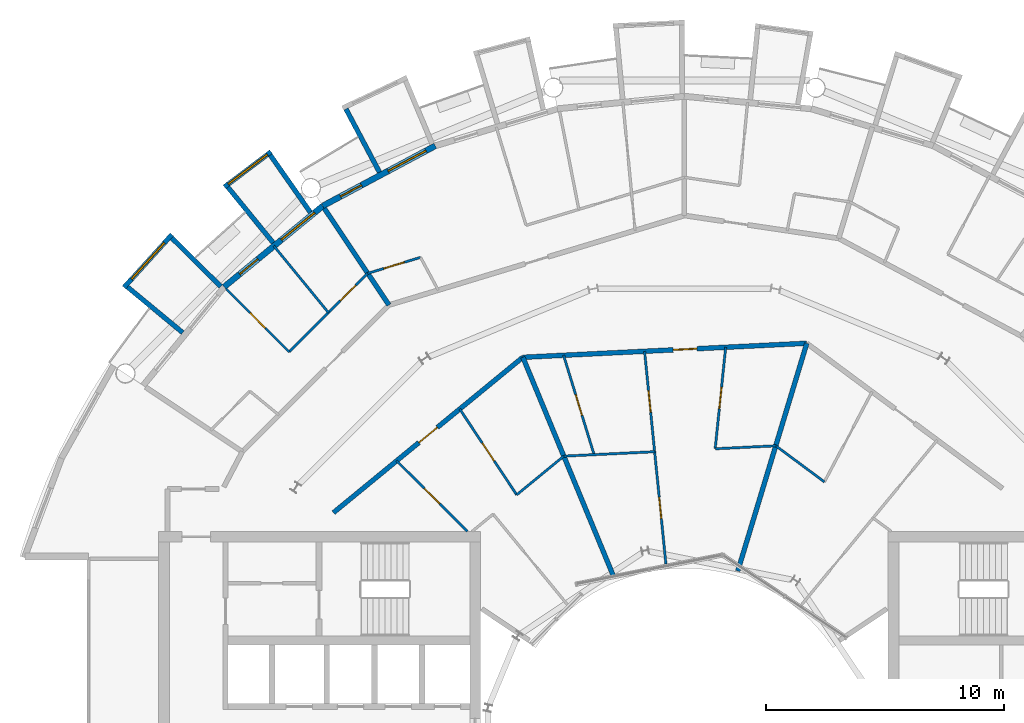
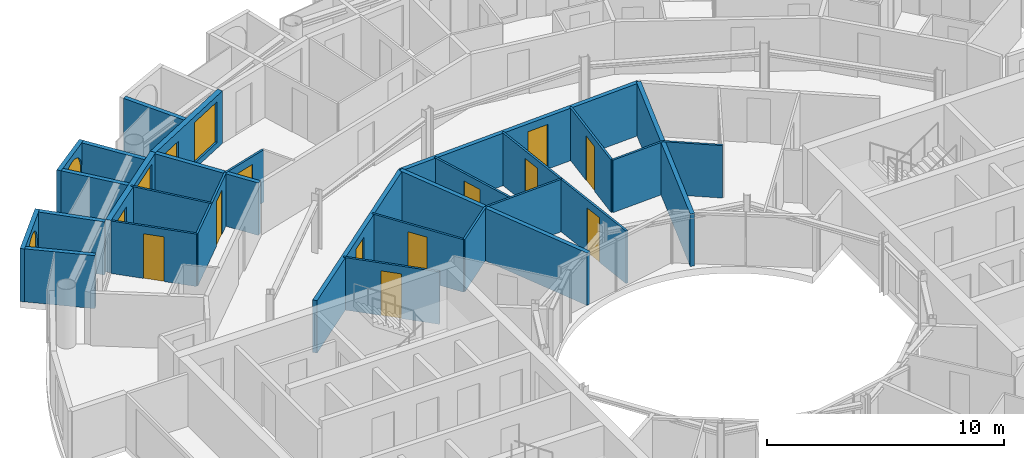
# One storey, part 21 of 29: 27 walls, 13 doors, 4 windows, 17 openings.
"""IFC4 building model written with IfcOpenShell, lengths in metres."""

from ifc_helpers import new_model, si_unit, direction, frame, frame_2d, origin, place, context, subcontext, project, spatial, rectangle, circle, extrude, material, layer, layer_set, type_object, element, fill, save


model = new_model("IFC4")

# Units and contexts
model_context = context("Model", 3, precision=1e-05, world=origin(), true_north=direction((0.0, 1.0)))
body_context = subcontext(model_context, "Body", "Model", "MODEL_VIEW")
ifc_project = project(units=[si_unit("LENGTHUNIT", "METRE"), si_unit("AREAUNIT", "SQUARE_METRE"), si_unit("VOLUMEUNIT", "CUBIC_METRE"), si_unit("PLANEANGLEUNIT", "RADIAN"), si_unit("MASSUNIT", "GRAM", prefix="KILO")], contexts=[model_context])

# Site, building, storey
site_placement = place(None, origin())
site = spatial("IfcSite", under=ifc_project, at=site_placement, CompositionType="ELEMENT")
building_placement = place(site_placement, origin())
building = spatial("IfcBuilding", under=site, at=building_placement, Name="Maasbend Ring Residences", CompositionType="ELEMENT")
storey_placement = place(building_placement, frame((0.0, 0.0, 202.39990234375)))
storey = spatial("IfcBuildingStorey", under=building, at=storey_placement, Name="L58", CompositionType="ELEMENT", Elevation=202.39990234375)

# Wall, opening, door
ifc_material_1 = material(Name="Concrete C30/37", Category="concrete")
ifc_layer_1 = layer(ifc_material_1, 0.199951171875)
ifc_layer_set_1 = layer_set([ifc_layer_1], Name="Concrete C30/37")
wall_type_1 = type_object("IfcWallType", Name="CORRIDOR WALL 200 CONCRETE", PredefinedType="PARTITIONING", material=ifc_layer_set_1)
wall_1_placement = place(storey_placement, frame((-6.782958984375, 16.35009765625, 0.0), z_axis=(0.0, 0.0, 1.0), x_axis=(0.998781156301, 0.049357895202, 0.0)))
wall_1 = element("IfcWall", 1, at=wall_1_placement, inside=storey, type_object=wall_type_1, Name="U-L58-w101", PredefinedType="PARTITIONING", context=body_context, shape_type="SweptSolid", body=[
    extrude(rectangle(XDim=11.9306640625, YDim=0.199951171875, at=frame_2d((5.96533203125, 0.0))), origin(), (0.0, 0.0, 1.0), 2.7001953125),
])
opening_1_placement = place(wall_1_placement, frame((6.322021484375, 0.0, 0.0)))
opening_1 = element("IfcOpeningElement", 2, at=opening_1_placement, cuts=wall_1, Name="Opening D-5825", PredefinedType="OPENING", context=body_context, shape_type="SweptSolid", body=[
    extrude(rectangle(XDim=1.0, YDim=2.300048828125, at=frame_2d((0.5, 1.14990234375))), frame((0.0, 0.10986328125, 0.0), z_axis=(0.0, -1.0, 0.0), x_axis=(1.0, 0.0, 0.0)), (0.0, 0.0, 1.0), 0.219970703125),
])
ifc_material_2 = material(Name="Timber, fire-rated, painted", Category="wood")
door_type_1 = type_object("IfcDoorType", Name="FLAT ENTRANCE DOOR 1000 X 2300 FIRE-RATED", OperationType="NOTDEFINED", PredefinedType="DOOR", material=ifc_material_2)
door_1_placement = place(opening_1_placement, origin())
door_1 = element("IfcDoor", 3, at=door_1_placement, inside=storey, type_object=door_type_1, Name="D-5825", OperationType="SINGLE_SWING_RIGHT", OverallHeight=2.300048828125, OverallWidth=1.0, PredefinedType="DOOR", context=body_context, shape_type="SweptSolid", body=[
    extrude(rectangle(XDim=1.0, YDim=2.300048828125, at=frame_2d((0.5, 1.14990234375))), frame((0.0, 0.02490234375, 0.0), z_axis=(0.0, -1.0, 0.0), x_axis=(1.0, 0.0, 0.0)), (0.0, 0.0, 1.0), 0.050048828125),
])
fill(opening_1, door_1)

wall_2_placement = place(storey_placement, frame((-14.717041015625, 9.833984375, 0.0), z_axis=(0.0, 0.0, 1.0), x_axis=(0.773034536097, 0.634363938131, 0.0)))
wall_2 = element("IfcWall", 4, at=wall_2_placement, inside=storey, type_object=wall_type_1, Name="U-L58-w103", PredefinedType="PARTITIONING", context=body_context, shape_type="SweptSolid", body=[
    extrude(rectangle(XDim=10.276611328125, YDim=0.199951171875, at=frame_2d((5.13818359375, 0.0))), origin(), (0.0, 0.0, 1.0), 2.7001953125),
])
opening_2_placement = place(wall_2_placement, frame((4.637939453125, 0.0, 0.0)))
opening_2 = element("IfcOpeningElement", 5, at=opening_2_placement, cuts=wall_2, Name="Opening D-5830", PredefinedType="OPENING", context=body_context, shape_type="SweptSolid", body=[
    extrude(rectangle(XDim=1.0, YDim=2.300048828125, at=frame_2d((0.5, 1.14990234375))), frame((0.0, 0.10986328125, 0.0), z_axis=(0.0, -1.0, 0.0), x_axis=(1.0, 0.0, 0.0)), (0.0, 0.0, 1.0), 0.219970703125),
])
door_2_placement = place(opening_2_placement, origin())
door_2 = element("IfcDoor", 6, at=door_2_placement, inside=storey, type_object=door_type_1, Name="D-5830", OperationType="SINGLE_SWING_LEFT", OverallHeight=2.300048828125, OverallWidth=1.0, PredefinedType="DOOR", context=body_context, shape_type="SweptSolid", body=[
    extrude(rectangle(XDim=1.0, YDim=2.300048828125, at=frame_2d((0.5, 1.14990234375))), frame((0.0, 0.02490234375, 0.0), z_axis=(0.0, -1.0, 0.0), x_axis=(1.0, 0.0, 0.0)), (0.0, 0.0, 1.0), 0.050048828125),
])
fill(opening_2, door_2)

# Wall
ifc_material_3 = material(Name="Pale anodised aluminium panel", Category="aluminium")
ifc_layer_2 = layer(ifc_material_3, 0.199951171875)
ifc_layer_set_2 = layer_set([ifc_layer_2], Name="EW-BOX")
wall_type_2 = type_object("IfcWallType", Name="EW-BOX", PredefinedType="SOLIDWALL", material=ifc_layer_set_2)
wall_3_placement = place(storey_placement, frame((-12.787109375, 24.113037109375, -0.02978515625), z_axis=(0.0, 0.0, 1.0), x_axis=(-0.468365282436, 0.883534924159, 0.0)))
element("IfcWall", 7, at=wall_3_placement, inside=storey, type_object=wall_type_2, Name="Box side wall N15 right", PredefinedType="SOLIDWALL", context=body_context, shape_type="SweptSolid", body=[
    extrude(rectangle(XDim=3.006103515625, YDim=0.199951171875, at=frame_2d((1.5029296875, 0.0))), origin(), (0.0, 0.0, 1.0), 2.72998046875),
])

# Wall, opening, window
wall_4_placement = place(storey_placement, frame((-17.3369140625, 24.971923828125, -0.02978515625), z_axis=(0.0, 0.0, 1.0), x_axis=(-0.797887588059, -0.602806268067, 0.0)))
wall_4 = element("IfcWall", 8, at=wall_4_placement, inside=storey, type_object=wall_type_2, Name="Box front N17", PredefinedType="SOLIDWALL", context=body_context, shape_type="SweptSolid", body=[
    extrude(rectangle(XDim=2.446533203125, YDim=0.199951171875, at=frame_2d((1.22314453125, 0.0))), origin(), (0.0, 0.0, 1.0), 2.72998046875),
])
opening_3_placement = place(wall_4_placement, frame((0.182861328125, 0.0, 0.330078125)))
opening_3 = element("IfcOpeningElement", 9, at=opening_3_placement, cuts=wall_4, Name="Opening W-RD", PredefinedType="OPENING", context=body_context, shape_type="SweptSolid", body=[
    extrude(circle(Radius=1.0400390625, at=frame_2d((1.0400390625, 1.0400390625))), frame((0.0, 0.10986328125, 0.0), z_axis=(0.0, -1.0, 0.0), x_axis=(1.0, 0.0, 0.0)), (0.0, 0.0, 1.0), 0.219970703125),
])
ifc_material_4 = material(Name="Aluminium and clear glass", Category="aluminium")
window_type_1 = type_object("IfcWindowType", Name="W-RD", PartitioningType="SINGLE_PANEL", PredefinedType="WINDOW", material=ifc_material_4)
window_1_placement = place(opening_3_placement, origin())
window_1 = element("IfcWindow", 10, at=window_1_placement, inside=storey, type_object=window_type_1, Name="Round window N17", OverallHeight=2.080078125, OverallWidth=2.080078125, PartitioningType="SINGLE_PANEL", PredefinedType="WINDOW", context=body_context, shape_type="SweptSolid", body=[
    extrude(circle(Radius=1.0400390625, at=frame_2d((1.0400390625, 1.0400390625))), frame((0.0, 0.030029296875, 0.0), z_axis=(0.0, -1.0, 0.0), x_axis=(1.0, 0.0, 0.0)), (0.0, 0.0, 1.0), 0.06005859375),
])
fill(opening_3, window_1)

# Walls
wall_5_placement = place(storey_placement, frame((-15.68798828125, 22.43310546875, -0.02978515625), z_axis=(0.0, 0.0, 1.0), x_axis=(-0.573260687834, 0.819373043115, 0.0)))
element("IfcWall", 11, at=wall_5_placement, inside=storey, type_object=wall_type_2, Name="Box side wall N17 left", PredefinedType="SOLIDWALL", context=body_context, shape_type="SweptSolid", body=[
    extrude(rectangle(XDim=2.92529296875, YDim=0.199951171875, at=frame_2d((1.462646484375, 0.0))), origin(), (0.0, 0.0, 1.0), 2.72998046875),
])
wall_6_placement = place(storey_placement, frame((-17.24609375, 21.155029296875, -0.02978515625), z_axis=(0.0, 0.0, 1.0), x_axis=(-0.631741648902, 0.775179004516, 0.0)))
element("IfcWall", 12, at=wall_6_placement, inside=storey, type_object=wall_type_2, Name="Box side wall N17 right", PredefinedType="SOLIDWALL", context=body_context, shape_type="SweptSolid", body=[
    extrude(rectangle(XDim=3.005859375, YDim=0.199951171875, at=frame_2d((1.5029296875, 0.0))), origin(), (0.0, 0.0, 1.0), 2.72998046875),
])

# Wall, opening, window
wall_7_placement = place(storey_placement, frame((-21.492919921875, 21.5, -0.02978515625), z_axis=(0.0, 0.0, 1.0), x_axis=(-0.671506829416, -0.740998365753, 0.0)))
wall_7 = element("IfcWall", 13, at=wall_7_placement, inside=storey, type_object=wall_type_2, Name="Box front N19", PredefinedType="SOLIDWALL", context=body_context, shape_type="SweptSolid", body=[
    extrude(rectangle(XDim=2.9931640625, YDim=0.199951171875, at=frame_2d((1.49658203125, 0.0))), origin(), (0.0, 0.0, 1.0), 2.72998046875),
])
opening_4_placement = place(wall_7_placement, frame((0.45654296875, 0.0, 0.330078125)))
opening_4 = element("IfcOpeningElement", 14, at=opening_4_placement, cuts=wall_7, Name="Opening W-RD", PredefinedType="OPENING", context=body_context, shape_type="SweptSolid", body=[
    extrude(circle(Radius=1.0400390625, at=frame_2d((1.0400390625, 1.0400390625))), frame((0.0, 0.10986328125, 0.0), z_axis=(0.0, -1.0, 0.0), x_axis=(1.0, 0.0, 0.0)), (0.0, 0.0, 1.0), 0.219970703125),
])
window_2_placement = place(opening_4_placement, origin())
window_2 = element("IfcWindow", 15, at=window_2_placement, inside=storey, type_object=window_type_1, Name="Round window N19", OverallHeight=2.080078125, OverallWidth=2.080078125, PartitioningType="SINGLE_PANEL", PredefinedType="WINDOW", context=body_context, shape_type="SweptSolid", body=[
    extrude(circle(Radius=1.0400390625, at=frame_2d((1.0400390625, 1.0400390625))), frame((0.0, 0.030029296875, 0.0), z_axis=(0.0, -1.0, 0.0), x_axis=(1.0, 0.0, 0.0)), (0.0, 0.0, 1.0), 0.06005859375),
])
fill(opening_4, window_2)

# Walls
wall_8_placement = place(storey_placement, frame((-19.449951171875, 19.322998046875, -0.02978515625), z_axis=(0.0, 0.0, 1.0), x_axis=(-0.709727076896, 0.704476739375, 0.0)))
element("IfcWall", 16, at=wall_8_placement, inside=storey, type_object=wall_type_2, Name="Box side wall N19 left", PredefinedType="SOLIDWALL", context=body_context, shape_type="SweptSolid", body=[
    extrude(rectangle(XDim=2.883056640625, YDim=0.199951171875, at=frame_2d((1.44140625, 0.0))), origin(), (0.0, 0.0, 1.0), 2.72998046875),
])
wall_9_placement = place(storey_placement, frame((-21.041015625, 17.384033203125, -0.02978515625), z_axis=(0.0, 0.0, 1.0), x_axis=(-0.770784861449, 0.63709551667, 0.0)))
element("IfcWall", 17, at=wall_9_placement, inside=storey, type_object=wall_type_2, Name="Box side wall N19 right", PredefinedType="SOLIDWALL", context=body_context, shape_type="SweptSolid", body=[
    extrude(rectangle(XDim=3.005859375, YDim=0.199951171875, at=frame_2d((1.5029296875, 0.0))), origin(), (0.0, 0.0, 1.0), 2.72998046875),
])

# Wall, openings, door, window
ifc_material_5 = material(Name="Aluminium clad insulated panel", Category="aluminium")
ifc_layer_3 = layer(ifc_material_5, 0.25)
ifc_layer_set_3 = layer_set([ifc_layer_3], Name="EW-GL")
wall_type_3 = type_object("IfcWallType", Name="EW-GL", PredefinedType="SOLIDWALL", material=ifc_layer_set_3)
wall_10_placement = place(storey_placement, frame((-10.447021484375, 25.221923828125, 0.0), z_axis=(0.0, 0.0, 1.0), x_axis=(-0.881915646801, -0.471407246368, 0.0)))
wall_10 = element("IfcWall", 18, at=wall_10_placement, inside=storey, type_object=wall_type_3, Name="External wall N08", PredefinedType="SOLIDWALL", context=body_context, shape_type="SweptSolid", body=[
    extrude(rectangle(XDim=5.35205078125, YDim=0.25, at=frame_2d((2.676025390625, 0.0))), origin(), (0.0, 0.0, 1.0), 2.7001953125),
])
opening_5_placement = place(wall_10_placement, frame((0.441162109375, 0.0, 0.300048828125)))
opening_5 = element("IfcOpeningElement", 19, at=opening_5_placement, cuts=wall_10, Name="Opening W-BX", PredefinedType="OPENING", context=body_context, shape_type="SweptSolid", body=[
    extrude(rectangle(XDim=1.800048828125, YDim=2.10009765625, at=frame_2d((0.89990234375, 1.050048828125))), frame((0.0, 0.135009765625, 0.0), z_axis=(0.0, -1.0, 0.0), x_axis=(1.0, 0.0, 0.0)), (0.0, 0.0, 1.0), 0.27001953125),
])
opening_6_placement = place(wall_10_placement, frame((3.510498046875, 0.0, 0.0)))
opening_6 = element("IfcOpeningElement", 20, at=opening_6_placement, cuts=wall_10, Name="Opening D-LG", PredefinedType="OPENING", context=body_context, shape_type="SweptSolid", body=[
    extrude(rectangle(XDim=1.0, YDim=2.199951171875, at=frame_2d((0.5, 1.10009765625))), frame((0.0, 0.135009765625, 0.0), z_axis=(0.0, -1.0, 0.0), x_axis=(1.0, 0.0, 0.0)), (0.0, 0.0, 1.0), 0.27001953125),
])
ifc_material_6 = material(Name="Aluminium and clear glass", Category="aluminium")
door_type_2 = type_object("IfcDoorType", Name="D-LG", OperationType="SINGLE_SWING_LEFT", PredefinedType="DOOR", material=ifc_material_6)
door_3_placement = place(opening_6_placement, origin())
door_3 = element("IfcDoor", 21, at=door_3_placement, inside=storey, type_object=door_type_2, Name="Loggia door N16", OperationType="SINGLE_SWING_LEFT", OverallHeight=2.199951171875, OverallWidth=1.0, PredefinedType="DOOR", context=body_context, shape_type="SweptSolid", body=[
    extrude(rectangle(XDim=1.0, YDim=2.199951171875, at=frame_2d((0.5, 1.10009765625))), frame((0.0, 0.02490234375, 0.0), z_axis=(0.0, -1.0, 0.0), x_axis=(1.0, 0.0, 0.0)), (0.0, 0.0, 1.0), 0.050048828125),
])
fill(opening_6, door_3)
ifc_material_7 = material(Name="Aluminium and clear glass", Category="aluminium")
window_type_2 = type_object("IfcWindowType", Name="W-BX", PartitioningType="DOUBLE_PANEL_VERTICAL", PredefinedType="WINDOW", material=ifc_material_7)
window_3_placement = place(opening_5_placement, origin())
window_3 = element("IfcWindow", 22, at=window_3_placement, inside=storey, type_object=window_type_2, Name="Window N15 room to box", OverallHeight=2.10009765625, OverallWidth=1.800048828125, PartitioningType="SINGLE_PANEL", PredefinedType="WINDOW", context=body_context, shape_type="SweptSolid", body=[
    extrude(rectangle(XDim=1.800048828125, YDim=2.10009765625, at=frame_2d((0.89990234375, 1.050048828125))), frame((0.0, 0.030029296875, 0.0), z_axis=(0.0, -1.0, 0.0), x_axis=(1.0, 0.0, 0.0)), (0.0, 0.0, 1.0), 0.06005859375),
])
fill(opening_5, window_3)

wall_11_placement = place(storey_placement, frame((-15.1669921875, 22.698974609375, 0.0), z_axis=(0.0, 0.0, 1.0), x_axis=(-0.773019449054, -0.634382322723, 0.0)))
wall_11 = element("IfcWall", 23, at=wall_11_placement, inside=storey, type_object=wall_type_3, Name="External wall N09", PredefinedType="SOLIDWALL", context=body_context, shape_type="SweptSolid", body=[
    extrude(rectangle(XDim=5.351806640625, YDim=0.25, at=frame_2d((2.67578125, 0.0))), origin(), (0.0, 0.0, 1.0), 2.7001953125),
])
opening_7_placement = place(wall_11_placement, frame((0.441162109375, 0.0, 0.300048828125)))
opening_7 = element("IfcOpeningElement", 24, at=opening_7_placement, cuts=wall_11, Name="Opening W-BX", PredefinedType="OPENING", context=body_context, shape_type="SweptSolid", body=[
    extrude(rectangle(XDim=1.800048828125, YDim=2.10009765625, at=frame_2d((0.89990234375, 1.050048828125))), frame((0.0, 0.135009765625, 0.0), z_axis=(0.0, -1.0, 0.0), x_axis=(1.0, 0.0, 0.0)), (0.0, 0.0, 1.0), 0.27001953125),
])
opening_8_placement = place(wall_11_placement, frame((3.510498046875, 0.0, 0.0)))
opening_8 = element("IfcOpeningElement", 25, at=opening_8_placement, cuts=wall_11, Name="Opening D-LG", PredefinedType="OPENING", context=body_context, shape_type="SweptSolid", body=[
    extrude(rectangle(XDim=1.0, YDim=2.199951171875, at=frame_2d((0.5, 1.10009765625))), frame((0.0, 0.135009765625, 0.0), z_axis=(0.0, -1.0, 0.0), x_axis=(1.0, 0.0, 0.0)), (0.0, 0.0, 1.0), 0.27001953125),
])
door_4_placement = place(opening_8_placement, origin())
door_4 = element("IfcDoor", 26, at=door_4_placement, inside=storey, type_object=door_type_2, Name="Loggia door N18", OperationType="SINGLE_SWING_LEFT", OverallHeight=2.199951171875, OverallWidth=1.0, PredefinedType="DOOR", context=body_context, shape_type="SweptSolid", body=[
    extrude(rectangle(XDim=1.0, YDim=2.199951171875, at=frame_2d((0.5, 1.10009765625))), frame((0.0, 0.02490234375, 0.0), z_axis=(0.0, -1.0, 0.0), x_axis=(1.0, 0.0, 0.0)), (0.0, 0.0, 1.0), 0.050048828125),
])
fill(opening_8, door_4)
window_4_placement = place(opening_7_placement, origin())
window_4 = element("IfcWindow", 27, at=window_4_placement, inside=storey, type_object=window_type_2, Name="Window N17 room to box", OverallHeight=2.10009765625, OverallWidth=1.800048828125, PartitioningType="SINGLE_PANEL", PredefinedType="WINDOW", context=body_context, shape_type="SweptSolid", body=[
    extrude(rectangle(XDim=1.800048828125, YDim=2.10009765625, at=frame_2d((0.89990234375, 1.050048828125))), frame((0.0, 0.030029296875, 0.0), z_axis=(0.0, -1.0, 0.0), x_axis=(1.0, 0.0, 0.0)), (0.0, 0.0, 1.0), 0.06005859375),
])
fill(opening_7, window_4)

# Wall, opening, door
ifc_material_8 = material(Name="Gypsum board on steel studs", Category="steel")
ifc_layer_4 = layer(ifc_material_8, 0.10009765625)
ifc_layer_set_4 = layer_set([ifc_layer_4], Name="PARTITION 100 GYPSUM")
wall_type_4 = type_object("IfcWallType", Name="PARTITION 100 GYPSUM", PredefinedType="PARTITIONING", material=ifc_layer_set_4)
wall_12_placement = place(storey_placement, frame((-5.06591796875, 16.43798828125, 0.0), z_axis=(0.0, 0.0, 1.0), x_axis=(0.293735983257, -0.955886589581, 0.0)))
wall_12 = element("IfcWall", 28, at=wall_12_placement, inside=storey, type_object=wall_type_4, Name="U-L58-w032", PredefinedType="PARTITIONING", context=body_context, shape_type="SweptSolid", body=[
    extrude(rectangle(XDim=4.364501953125, YDim=0.10009765625, at=frame_2d((2.18212890625, 0.0))), origin(), (0.0, 0.0, 1.0), 2.7001953125),
])
opening_9_placement = place(wall_12_placement, frame((1.73193359375, 0.0, 0.0)))
opening_9 = element("IfcOpeningElement", 29, at=opening_9_placement, cuts=wall_12, Name="Opening D-5828", PredefinedType="OPENING", context=body_context, shape_type="SweptSolid", body=[
    extrude(rectangle(XDim=0.89990234375, YDim=2.300048828125, at=frame_2d((0.449951171875, 1.14990234375))), frame((0.0, 0.06005859375, 0.0), z_axis=(0.0, -1.0, 0.0), x_axis=(1.0, 0.0, 0.0)), (0.0, 0.0, 1.0), 0.1201171875),
])
ifc_material_9 = material(Name="Timber, painted", Category="wood")
door_type_3 = type_object("IfcDoorType", Name="INTERNAL DOOR 900 X 2300", OperationType="NOTDEFINED", PredefinedType="DOOR", material=ifc_material_9)
door_5_placement = place(opening_9_placement, origin())
door_5 = element("IfcDoor", 30, at=door_5_placement, inside=storey, type_object=door_type_3, Name="D-5828", OperationType="SINGLE_SWING_LEFT", OverallHeight=2.300048828125, OverallWidth=0.89990234375, PredefinedType="DOOR", context=body_context, shape_type="SweptSolid", body=[
    extrude(rectangle(XDim=0.89990234375, YDim=2.300048828125, at=frame_2d((0.449951171875, 1.14990234375))), frame((0.0, 0.02490234375, 0.0), z_axis=(0.0, -1.0, 0.0), x_axis=(1.0, 0.0, 0.0)), (0.0, 0.0, 1.0), 0.050048828125),
])
fill(opening_9, door_5)

wall_13_placement = place(storey_placement, frame((-19.216064453125, 19.216064453125, 0.0), z_axis=(0.0, 0.0, 1.0), x_axis=(0.707106781187, -0.707106781187, 0.0)))
wall_13 = element("IfcWall", 31, at=wall_13_placement, inside=storey, type_object=wall_type_4, Name="U-L58-w039", PredefinedType="PARTITIONING", context=body_context, shape_type="SweptSolid", body=[
    extrude(rectangle(XDim=3.735107421875, YDim=0.10009765625, at=frame_2d((1.86767578125, 0.0))), origin(), (0.0, 0.0, 1.0), 2.7001953125),
])
opening_10_placement = place(wall_13_placement, frame((1.4169921875, 0.0, 0.0)))
opening_10 = element("IfcOpeningElement", 32, at=opening_10_placement, cuts=wall_13, Name="Opening D-5819", PredefinedType="OPENING", context=body_context, shape_type="SweptSolid", body=[
    extrude(rectangle(XDim=0.89990234375, YDim=2.300048828125, at=frame_2d((0.449951171875, 1.14990234375))), frame((0.0, 0.06005859375, 0.0), z_axis=(0.0, -1.0, 0.0), x_axis=(1.0, 0.0, 0.0)), (0.0, 0.0, 1.0), 0.1201171875),
])
door_6_placement = place(opening_10_placement, origin())
door_6 = element("IfcDoor", 33, at=door_6_placement, inside=storey, type_object=door_type_3, Name="D-5819", OperationType="SINGLE_SWING_LEFT", OverallHeight=2.300048828125, OverallWidth=0.89990234375, PredefinedType="DOOR", context=body_context, shape_type="SweptSolid", body=[
    extrude(rectangle(XDim=0.89990234375, YDim=2.300048828125, at=frame_2d((0.449951171875, 1.14990234375))), frame((0.0, 0.02490234375, 0.0), z_axis=(0.0, -1.0, 0.0), x_axis=(1.0, 0.0, 0.0)), (0.0, 0.0, 1.0), 0.050048828125),
])
fill(opening_10, door_6)

# Wall
wall_14_placement = place(storey_placement, frame((-17.219970703125, 21.02294921875, 0.0), z_axis=(0.0, 0.0, 1.0), x_axis=(0.633737383709, -0.773548271597, 0.0)))
element("IfcWall", 34, at=wall_14_placement, inside=storey, type_object=wall_type_4, Name="U-L58-w040", PredefinedType="PARTITIONING", context=body_context, shape_type="SweptSolid", body=[
    extrude(rectangle(XDim=3.6181640625, YDim=0.10009765625, at=frame_2d((1.80908203125, 0.0))), origin(), (0.0, 0.0, 1.0), 2.7001953125),
])

# Wall, opening, door
wall_15_placement = place(storey_placement, frame((-12.069091796875, 12.007080078125, 0.0), z_axis=(0.0, 0.0, 1.0), x_axis=(0.708909651863, -0.705299302067, 0.0)))
wall_15 = element("IfcWall", 35, at=wall_15_placement, inside=storey, type_object=wall_type_4, Name="U-L58-w046", PredefinedType="PARTITIONING", context=body_context, shape_type="SweptSolid", body=[
    extrude(rectangle(XDim=4.192626953125, YDim=0.10009765625, at=frame_2d((2.09619140625, 0.0))), origin(), (0.0, 0.0, 1.0), 2.7001953125),
])
opening_11_placement = place(wall_15_placement, frame((1.64599609375, 0.0, 0.0)))
opening_11 = element("IfcOpeningElement", 36, at=opening_11_placement, cuts=wall_15, Name="Opening D-5832", PredefinedType="OPENING", context=body_context, shape_type="SweptSolid", body=[
    extrude(rectangle(XDim=0.89990234375, YDim=2.300048828125, at=frame_2d((0.449951171875, 1.14990234375))), frame((0.0, 0.06005859375, 0.0), z_axis=(0.0, -1.0, 0.0), x_axis=(1.0, 0.0, 0.0)), (0.0, 0.0, 1.0), 0.1201171875),
])
door_7_placement = place(opening_11_placement, origin())
door_7 = element("IfcDoor", 37, at=door_7_placement, inside=storey, type_object=door_type_3, Name="D-5832", OperationType="SINGLE_SWING_RIGHT", OverallHeight=2.300048828125, OverallWidth=0.89990234375, PredefinedType="DOOR", context=body_context, shape_type="SweptSolid", body=[
    extrude(rectangle(XDim=0.89990234375, YDim=2.300048828125, at=frame_2d((0.449951171875, 1.14990234375))), frame((0.0, 0.02490234375, 0.0), z_axis=(0.0, -1.0, 0.0), x_axis=(1.0, 0.0, 0.0)), (0.0, 0.0, 1.0), 0.050048828125),
])
fill(opening_11, door_7)

wall_16_placement = place(storey_placement, frame((-9.4208984375, 14.179931640625, 0.0), z_axis=(0.0, 0.0, 1.0), x_axis=(0.553303732327, -0.832979579457, 0.0)))
wall_16 = element("IfcWall", 38, at=wall_16_placement, inside=storey, type_object=wall_type_4, Name="U-L58-w049", PredefinedType="PARTITIONING", context=body_context, shape_type="SweptSolid", body=[
    extrude(rectangle(XDim=4.3193359375, YDim=0.10009765625, at=frame_2d((2.15966796875, 0.0))), origin(), (0.0, 0.0, 1.0), 2.7001953125),
])
opening_12_placement = place(wall_16_placement, frame((1.7099609375, 0.0, 0.0)))
opening_12 = element("IfcOpeningElement", 39, at=opening_12_placement, cuts=wall_16, Name="Opening D-5831", PredefinedType="OPENING", context=body_context, shape_type="SweptSolid", body=[
    extrude(rectangle(XDim=0.89990234375, YDim=2.300048828125, at=frame_2d((0.449951171875, 1.14990234375))), frame((0.0, 0.06005859375, 0.0), z_axis=(0.0, -1.0, 0.0), x_axis=(1.0, 0.0, 0.0)), (0.0, 0.0, 1.0), 0.1201171875),
])
door_8_placement = place(opening_12_placement, origin())
door_8 = element("IfcDoor", 40, at=door_8_placement, inside=storey, type_object=door_type_3, Name="D-5831", OperationType="SINGLE_SWING_RIGHT", OverallHeight=2.300048828125, OverallWidth=0.89990234375, PredefinedType="DOOR", context=body_context, shape_type="SweptSolid", body=[
    extrude(rectangle(XDim=0.89990234375, YDim=2.300048828125, at=frame_2d((0.449951171875, 1.14990234375))), frame((0.0, 0.02490234375, 0.0), z_axis=(0.0, -1.0, 0.0), x_axis=(1.0, 0.0, 0.0)), (0.0, 0.0, 1.0), 0.050048828125),
])
fill(opening_12, door_8)

# Wall, openings, doors
wall_17_placement = place(storey_placement, frame((-1.66796875, 16.60302734375, 0.0), z_axis=(0.0, 0.0, 1.0), x_axis=(0.099921543882, -0.994995319119, 0.0)))
wall_17 = element("IfcWall", 41, at=wall_17_placement, inside=storey, type_object=wall_type_4, Name="U-L58-w060", PredefinedType="PARTITIONING", context=body_context, shape_type="SweptSolid", body=[
    extrude(rectangle(XDim=8.967041015625, YDim=0.10009765625, at=frame_2d((4.4833984375, 0.0))), origin(), (0.0, 0.0, 1.0), 2.7001953125),
])
opening_13_placement = place(wall_17_placement, frame((1.6669921875, 0.0, 0.0)))
opening_13 = element("IfcOpeningElement", 42, at=opening_13_placement, cuts=wall_17, Name="Opening D-5827", PredefinedType="OPENING", context=body_context, shape_type="SweptSolid", body=[
    extrude(rectangle(XDim=0.89990234375, YDim=2.300048828125, at=frame_2d((0.449951171875, 1.14990234375))), frame((0.0, 0.06005859375, 0.0), z_axis=(0.0, -1.0, 0.0), x_axis=(1.0, 0.0, 0.0)), (0.0, 0.0, 1.0), 0.1201171875),
])
opening_14_placement = place(wall_17_placement, frame((6.14990234375, 0.0, 0.0)))
opening_14 = element("IfcOpeningElement", 43, at=opening_14_placement, cuts=wall_17, Name="Opening D-5829", PredefinedType="OPENING", context=body_context, shape_type="SweptSolid", body=[
    extrude(rectangle(XDim=0.89990234375, YDim=2.300048828125, at=frame_2d((0.449951171875, 1.14990234375))), frame((0.0, 0.06005859375, 0.0), z_axis=(0.0, -1.0, 0.0), x_axis=(1.0, 0.0, 0.0)), (0.0, 0.0, 1.0), 0.1201171875),
])
door_9_placement = place(opening_13_placement, origin())
door_9 = element("IfcDoor", 44, at=door_9_placement, inside=storey, type_object=door_type_3, Name="D-5827", OperationType="SINGLE_SWING_LEFT", OverallHeight=2.300048828125, OverallWidth=0.89990234375, PredefinedType="DOOR", context=body_context, shape_type="SweptSolid", body=[
    extrude(rectangle(XDim=0.89990234375, YDim=2.300048828125, at=frame_2d((0.449951171875, 1.14990234375))), frame((0.0, 0.02490234375, 0.0), z_axis=(0.0, -1.0, 0.0), x_axis=(1.0, 0.0, 0.0)), (0.0, 0.0, 1.0), 0.050048828125),
])
fill(opening_13, door_9)
door_10_placement = place(opening_14_placement, origin())
door_10 = element("IfcDoor", 45, at=door_10_placement, inside=storey, type_object=door_type_3, Name="D-5829", OperationType="SINGLE_SWING_RIGHT", OverallHeight=2.300048828125, OverallWidth=0.89990234375, PredefinedType="DOOR", context=body_context, shape_type="SweptSolid", body=[
    extrude(rectangle(XDim=0.89990234375, YDim=2.300048828125, at=frame_2d((0.449951171875, 1.14990234375))), frame((0.0, 0.02490234375, 0.0), z_axis=(0.0, -1.0, 0.0), x_axis=(1.0, 0.0, 0.0)), (0.0, 0.0, 1.0), 0.050048828125),
])
fill(opening_14, door_10)

# Wall, opening, door
wall_18_placement = place(storey_placement, frame((1.294921875, 12.514892578125, 0.0), z_axis=(0.0, 0.0, 1.0), x_axis=(0.102875790791, 0.994694210131, 0.0)))
wall_18 = element("IfcWall", 46, at=wall_18_placement, inside=storey, type_object=wall_type_4, Name="U-L58-w065", PredefinedType="PARTITIONING", context=body_context, shape_type="SweptSolid", body=[
    extrude(rectangle(XDim=4.27880859375, YDim=0.10009765625, at=frame_2d((2.139404296875, 0.0))), origin(), (0.0, 0.0, 1.0), 2.7001953125),
])
opening_15_placement = place(wall_18_placement, frame((1.68896484375, 0.0, 0.0)))
opening_15 = element("IfcOpeningElement", 47, at=opening_15_placement, cuts=wall_18, Name="Opening D-5826", PredefinedType="OPENING", context=body_context, shape_type="SweptSolid", body=[
    extrude(rectangle(XDim=0.89990234375, YDim=2.300048828125, at=frame_2d((0.449951171875, 1.14990234375))), frame((0.0, 0.06005859375, 0.0), z_axis=(0.0, -1.0, 0.0), x_axis=(1.0, 0.0, 0.0)), (0.0, 0.0, 1.0), 0.1201171875),
])
door_11_placement = place(opening_15_placement, origin())
door_11 = element("IfcDoor", 48, at=door_11_placement, inside=storey, type_object=door_type_3, Name="D-5826", OperationType="SINGLE_SWING_RIGHT", OverallHeight=2.300048828125, OverallWidth=0.89990234375, PredefinedType="DOOR", context=body_context, shape_type="SweptSolid", body=[
    extrude(rectangle(XDim=0.89990234375, YDim=2.300048828125, at=frame_2d((0.449951171875, 1.14990234375))), frame((0.0, 0.02490234375, 0.0), z_axis=(0.0, -1.0, 0.0), x_axis=(1.0, 0.0, 0.0)), (0.0, 0.0, 1.0), 0.050048828125),
])
fill(opening_15, door_11)

# Walls
wall_19_placement = place(storey_placement, frame((-5.054931640625, 12.2041015625, 0.0), z_axis=(0.0, 0.0, 1.0), x_axis=(0.998816217325, 0.048643231882, 0.0)))
element("IfcWall", 49, at=wall_19_placement, inside=storey, type_object=wall_type_4, Name="U-L58-w095", PredefinedType="PARTITIONING", context=body_context, shape_type="SweptSolid", body=[
    extrude(rectangle(XDim=3.819580078125, YDim=0.10009765625, at=frame_2d((1.90966796875, 0.0))), origin(), (0.0, 0.0, 1.0), 2.7001953125),
])
wall_20_placement = place(storey_placement, frame((1.300048828125, 12.513916015625, 0.0), z_axis=(0.0, 0.0, 1.0), x_axis=(0.99880915717, 0.048787985754, 0.0)))
element("IfcWall", 50, at=wall_20_placement, inside=storey, type_object=wall_type_4, Name="U-L58-w096", PredefinedType="PARTITIONING", context=body_context, shape_type="SweptSolid", body=[
    extrude(rectangle(XDim=2.5419921875, YDim=0.10009765625, at=frame_2d((1.27099609375, 0.0))), origin(), (0.0, 0.0, 1.0), 2.7001953125),
])
wall_21_placement = place(storey_placement, frame((3.833984375, 12.639892578125, 0.0), z_axis=(0.0, 0.0, 1.0), x_axis=(0.803259509791, -0.595629213463, 0.0)))
element("IfcWall", 51, at=wall_21_placement, inside=storey, type_object=wall_type_4, Name="U-L58-w097", PredefinedType="PARTITIONING", context=body_context, shape_type="SweptSolid", body=[
    extrude(rectangle(XDim=2.54345703125, YDim=0.10009765625, at=frame_2d((1.271728515625, 0.0))), origin(), (0.0, 0.0, 1.0), 2.7001953125),
])
wall_22_placement = place(storey_placement, frame((-7.032958984375, 10.5810546875, 0.0), z_axis=(0.0, 0.0, 1.0), x_axis=(0.772990508216, 0.634417586617, 0.0)))
element("IfcWall", 52, at=wall_22_placement, inside=storey, type_object=wall_type_4, Name="U-L58-w100", PredefinedType="PARTITIONING", context=body_context, shape_type="SweptSolid", body=[
    extrude(rectangle(XDim=2.556396484375, YDim=0.10009765625, at=frame_2d((1.2783203125, 0.0))), origin(), (0.0, 0.0, 1.0), 2.7001953125),
])

# Wall, opening, door
wall_23_placement = place(storey_placement, frame((-13.278076171875, 19.8720703125, 0.0), z_axis=(0.0, 0.0, 1.0), x_axis=(0.956994210955, 0.29010701508, 0.0)))
wall_23 = element("IfcWall", 53, at=wall_23_placement, inside=storey, type_object=wall_type_4, Name="U-L58-w113", PredefinedType="PARTITIONING", context=body_context, shape_type="SweptSolid", body=[
    extrude(rectangle(XDim=2.3125, YDim=0.10009765625, at=frame_2d((1.15625, 0.0))), origin(), (0.0, 0.0, 1.0), 2.7001953125),
])
opening_16_placement = place(wall_23_placement, frame((0.7060546875, 0.0, 0.0)))
opening_16 = element("IfcOpeningElement", 54, at=opening_16_placement, cuts=wall_23, Name="Opening D-5812", PredefinedType="OPENING", context=body_context, shape_type="SweptSolid", body=[
    extrude(rectangle(XDim=0.89990234375, YDim=2.300048828125, at=frame_2d((0.449951171875, 1.14990234375))), frame((0.0, 0.06005859375, 0.0), z_axis=(0.0, -1.0, 0.0), x_axis=(1.0, 0.0, 0.0)), (0.0, 0.0, 1.0), 0.1201171875),
])
door_12_placement = place(opening_16_placement, origin())
door_12 = element("IfcDoor", 55, at=door_12_placement, inside=storey, type_object=door_type_3, Name="D-5812", OperationType="SINGLE_SWING_LEFT", OverallHeight=2.300048828125, OverallWidth=0.89990234375, PredefinedType="DOOR", context=body_context, shape_type="SweptSolid", body=[
    extrude(rectangle(XDim=0.89990234375, YDim=2.300048828125, at=frame_2d((0.449951171875, 1.14990234375))), frame((0.0, 0.02490234375, 0.0), z_axis=(0.0, -1.0, 0.0), x_axis=(1.0, 0.0, 0.0)), (0.0, 0.0, 1.0), 0.050048828125),
])
fill(opening_16, door_12)

wall_24_placement = place(storey_placement, frame((-16.574951171875, 16.574951171875, 0.0), z_axis=(0.0, 0.0, 1.0), x_axis=(0.707080600289, 0.707132961115, 0.0)))
wall_24 = element("IfcWall", 56, at=wall_24_placement, inside=storey, type_object=wall_type_4, Name="U-L58-w116", PredefinedType="PARTITIONING", context=body_context, shape_type="SweptSolid", body=[
    extrude(rectangle(XDim=4.66259765625, YDim=0.10009765625, at=frame_2d((2.331298828125, 0.0))), origin(), (0.0, 0.0, 1.0), 2.7001953125),
])
opening_17_placement = place(wall_24_placement, frame((3.04296875, 0.0, 0.0)))
opening_17 = element("IfcOpeningElement", 57, at=opening_17_placement, cuts=wall_24, Name="Opening D-5820", PredefinedType="OPENING", context=body_context, shape_type="SweptSolid", body=[
    extrude(rectangle(XDim=0.89990234375, YDim=2.300048828125, at=frame_2d((0.449951171875, 1.14990234375))), frame((0.0, 0.06005859375, 0.0), z_axis=(0.0, -1.0, 0.0), x_axis=(1.0, 0.0, 0.0)), (0.0, 0.0, 1.0), 0.1201171875),
])
door_13_placement = place(opening_17_placement, origin())
door_13 = element("IfcDoor", 58, at=door_13_placement, inside=storey, type_object=door_type_3, Name="D-5820", OperationType="SINGLE_SWING_RIGHT", OverallHeight=2.300048828125, OverallWidth=0.89990234375, PredefinedType="DOOR", context=body_context, shape_type="SweptSolid", body=[
    extrude(rectangle(XDim=0.89990234375, YDim=2.300048828125, at=frame_2d((0.449951171875, 1.14990234375))), frame((0.0, 0.02490234375, 0.0), z_axis=(0.0, -1.0, 0.0), x_axis=(1.0, 0.0, 0.0)), (0.0, 0.0, 1.0), 0.050048828125),
])
fill(opening_17, door_13)

# Walls
ifc_material_10 = material(Name="Concrete C30/37", Category="concrete")
ifc_layer_5 = layer(ifc_material_10, 0.199951171875)
ifc_layer_set_5 = layer_set([ifc_layer_5], Name="Concrete C30/37")
wall_type_5 = type_object("IfcWallType", Name="PARTY WALL 200 CONCRETE", PredefinedType="PARTITIONING", material=ifc_layer_set_5)
wall_25_placement = place(storey_placement, frame((-15.097900390625, 22.594970703125, 0.0), z_axis=(0.0, 0.0, 1.0), x_axis=(0.55569370664, -0.831387096605, 0.0)))
element("IfcWall", 59, at=wall_25_placement, inside=storey, type_object=wall_type_5, Name="U-L58-w042", PredefinedType="PARTITIONING", context=body_context, shape_type="SweptSolid", body=[
    extrude(rectangle(XDim=4.875, YDim=0.199951171875, at=frame_2d((2.4375, 0.0))), origin(), (0.0, 0.0, 1.0), 2.7001953125),
])
wall_26_placement = place(storey_placement, frame((-6.77294921875, 16.35302734375, 0.0), z_axis=(0.0, 0.0, 1.0), x_axis=(0.382549125466, -0.923935152814, 0.0)))
element("IfcWall", 60, at=wall_26_placement, inside=storey, type_object=wall_type_5, Name="U-L58-w054", PredefinedType="PARTITIONING", context=body_context, shape_type="SweptSolid", body=[
    extrude(rectangle(XDim=9.97998046875, YDim=0.199951171875, at=frame_2d((4.989990234375, 0.0))), origin(), (0.0, 0.0, 1.0), 2.7001953125),
])
wall_27_placement = place(storey_placement, frame((2.243896484375, 7.386962890625, 0.0), z_axis=(0.0, 0.0, 1.0), x_axis=(0.290078004911, 0.957003004732, 0.0)))
element("IfcWall", 61, at=wall_27_placement, inside=storey, type_object=wall_type_5, Name="U-L58-w067", PredefinedType="PARTITIONING", context=body_context, shape_type="SweptSolid", body=[
    extrude(rectangle(XDim=9.980224609375, YDim=0.199951171875, at=frame_2d((4.990234375, 0.0))), origin(), (0.0, 0.0, 1.0), 2.7001953125),
])

save(model, "model.ifc")
